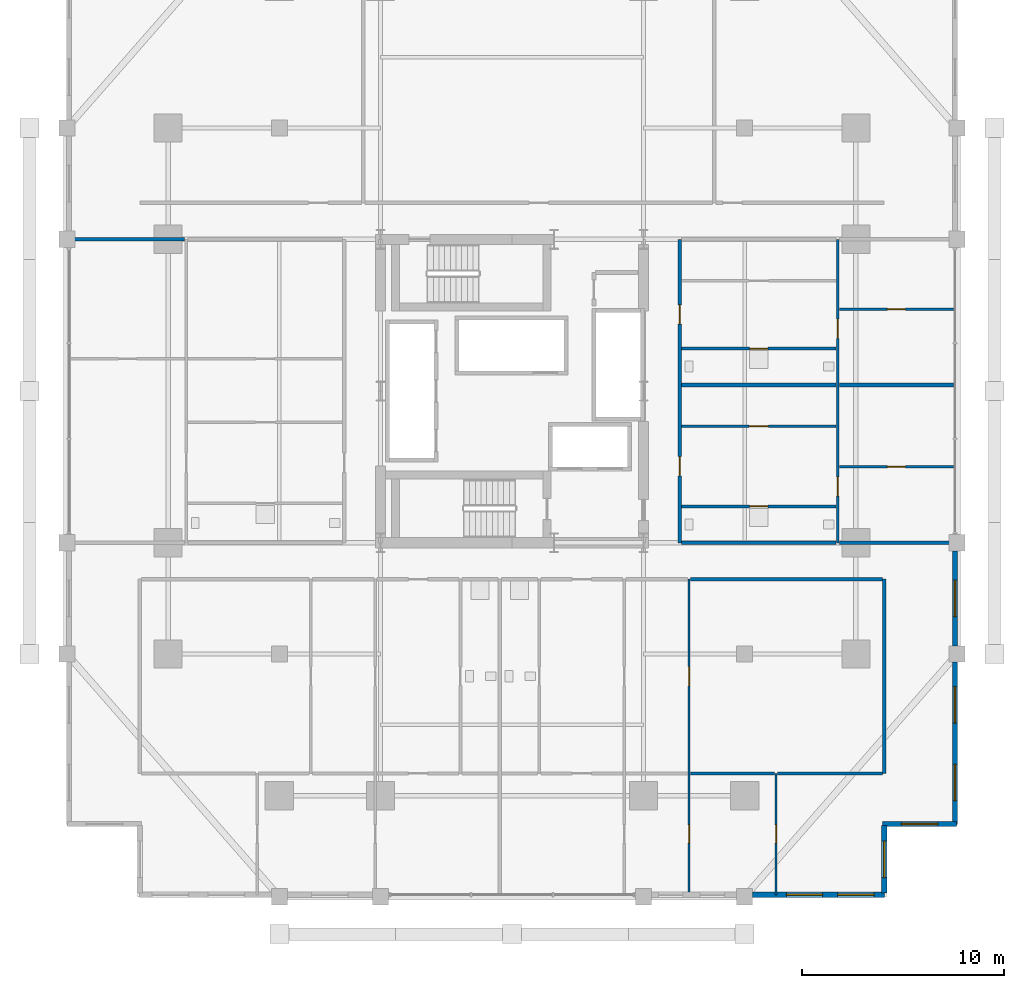
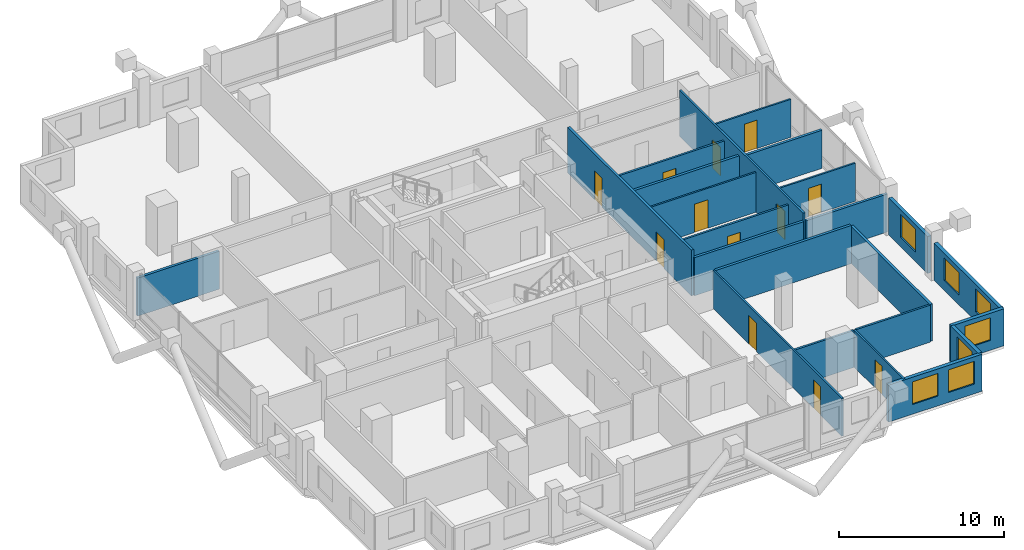
# One storey, part 19 of 23: 23 walls, 12 doors, 7 windows, 19 openings.
"""IFC4 building model written with IfcOpenShell, lengths in metres."""

from ifc_helpers import new_model, si_unit, direction, frame, frame_2d, origin, place, context, subcontext, project, spatial, rectangle, extrude, material, layer, layer_set, type_object, element, fill, save


model = new_model("IFC4")

# Units and contexts
model_context = context("Model", 3, precision=1e-05, world=origin(), true_north=direction((0.0, 1.0)))
body_context = subcontext(model_context, "Body", "Model", "MODEL_VIEW")
ifc_project = project(units=[si_unit("LENGTHUNIT", "METRE"), si_unit("AREAUNIT", "SQUARE_METRE"), si_unit("VOLUMEUNIT", "CUBIC_METRE"), si_unit("PLANEANGLEUNIT", "RADIAN"), si_unit("MASSUNIT", "GRAM", prefix="KILO")], contexts=[model_context])

# Site, building, storey
site_placement = place(None, origin())
site = spatial("IfcSite", under=ifc_project, at=site_placement, CompositionType="ELEMENT")
building_placement = place(site_placement, origin())
building = spatial("IfcBuilding", under=site, at=building_placement, Name="Barlavira Tower and Art Museum", CompositionType="ELEMENT")
storey_placement = place(building_placement, frame((0.0, 0.0, 68.39990234375)))
storey = spatial("IfcBuildingStorey", under=building, at=storey_placement, Name="L16", CompositionType="ELEMENT", Elevation=68.39990234375)

# Wall, openings, doors
ifc_material_1 = material(Name="Gypsum acoustic stud partition", Category="gypsum")
ifc_layer_1 = layer(ifc_material_1, 0.1201171875, Name="Gypsum acoustic stud partition")
ifc_layer_set_1 = layer_set([ifc_layer_1], Name="Gypsum acoustic stud partition")
wall_type_1 = type_object("IfcWallType", Name="Apartment Internal Acoustic Partition 120", PredefinedType="PARTITIONING", material=ifc_layer_set_1)
wall_1_placement = place(storey_placement, frame((8.75, -24.89990234375, 0.0), z_axis=(0.0, 0.0, 1.0), x_axis=(0.0, 1.0, 0.0)))
wall_1 = element("IfcWall", 1, at=wall_1_placement, inside=storey, type_object=wall_type_1, Name="L16 Partition Wall 14", PredefinedType="PARTITIONING", context=body_context, shape_type="SweptSolid", body=[
    extrude(rectangle(XDim=15.599853515625, YDim=0.1201171875, at=frame_2d((7.7998046875, 0.0))), origin(), (0.0, 0.0, 1.0), 2.816162109375),
])
opening_1_placement = place(wall_1_placement, frame((10.324951171875, 0.0, 0.0)))
opening_1 = element("IfcOpeningElement", 2, at=opening_1_placement, cuts=wall_1, Name="Opening D-02", PredefinedType="OPENING", context=body_context, shape_type="SweptSolid", body=[
    extrude(rectangle(XDim=0.949951171875, YDim=2.10009765625, at=frame_2d((0.47509765625, 1.050048828125))), frame((0.0, 0.070068359375, 0.0), z_axis=(0.0, -1.0, 0.0), x_axis=(1.0, 0.0, 0.0)), (0.0, 0.0, 1.0), 0.14013671875),
])
opening_2_placement = place(wall_1_placement, frame((2.550048828125, 0.0, 0.0)))
opening_2 = element("IfcOpeningElement", 3, at=opening_2_placement, cuts=wall_1, Name="Opening D-01", PredefinedType="OPENING", context=body_context, shape_type="SweptSolid", body=[
    extrude(rectangle(XDim=0.89990234375, YDim=2.10009765625, at=frame_2d((0.449951171875, 1.050048828125))), frame((0.0, 0.070068359375, 0.0), z_axis=(0.0, -1.0, 0.0), x_axis=(1.0, 0.0, 0.0)), (0.0, 0.0, 1.0), 0.14013671875),
])
ifc_material_2 = material(Name="Engineered coastal hardwood", Category="wood")
door_type_1 = type_object("IfcDoorType", Name="Internal Bedroom Timber Flush Door 900x2100", OperationType="NOTDEFINED", PredefinedType="DOOR", material=ifc_material_2)
door_1_placement = place(opening_2_placement, origin())
door_1 = element("IfcDoor", 4, at=door_1_placement, inside=storey, type_object=door_type_1, Name="Apartment S2 Bedroom 2 Door", OperationType="SINGLE_SWING_RIGHT", OverallHeight=2.10009765625, OverallWidth=0.89990234375, PredefinedType="DOOR", context=body_context, shape_type="SweptSolid", body=[
    extrude(rectangle(XDim=0.89990234375, YDim=2.10009765625, at=frame_2d((0.449951171875, 1.050048828125))), frame((0.0, 0.02490234375, 0.0), z_axis=(0.0, -1.0, 0.0), x_axis=(1.0, 0.0, 0.0)), (0.0, 0.0, 1.0), 0.050048828125),
])
fill(opening_2, door_1)
door_type_2 = type_object("IfcDoorType", Name="Living and Salon Glazed-Leaf Door 950x2100", OperationType="NOTDEFINED", PredefinedType="DOOR", material=ifc_material_2)
door_2_placement = place(opening_1_placement, origin())
door_2 = element("IfcDoor", 5, at=door_2_placement, inside=storey, type_object=door_type_2, Name="Apartment S2 Dining Salon Door", OperationType="SINGLE_SWING_LEFT", OverallHeight=2.10009765625, OverallWidth=0.949951171875, PredefinedType="DOOR", context=body_context, shape_type="SweptSolid", body=[
    extrude(rectangle(XDim=0.949951171875, YDim=2.10009765625, at=frame_2d((0.47509765625, 1.050048828125))), frame((0.0, 0.02490234375, 0.0), z_axis=(0.0, -1.0, 0.0), x_axis=(1.0, 0.0, 0.0)), (0.0, 0.0, 1.0), 0.050048828125),
])
fill(opening_1, door_2)

# Wall, opening, door
wall_2_placement = place(storey_placement, frame((13.050048828125, -24.89990234375, 0.0), z_axis=(0.0, 0.0, 1.0), x_axis=(0.0, 1.0, 0.0)))
wall_2 = element("IfcWall", 6, at=wall_2_placement, inside=storey, type_object=wall_type_1, Name="L16 Partition Wall 16", PredefinedType="PARTITIONING", context=body_context, shape_type="SweptSolid", body=[
    extrude(rectangle(XDim=6.0, YDim=0.1201171875, at=frame_2d((3.0, 0.0))), origin(), (0.0, 0.0, 1.0), 2.736083984375),
])
opening_3_placement = place(wall_2_placement, frame((2.550048828125, 0.0, 0.0)))
opening_3 = element("IfcOpeningElement", 7, at=opening_3_placement, cuts=wall_2, Name="Opening D-01", PredefinedType="OPENING", context=body_context, shape_type="SweptSolid", body=[
    extrude(rectangle(XDim=0.89990234375, YDim=2.10009765625, at=frame_2d((0.449951171875, 1.050048828125))), frame((0.0, 0.070068359375, 0.0), z_axis=(0.0, -1.0, 0.0), x_axis=(1.0, 0.0, 0.0)), (0.0, 0.0, 1.0), 0.14013671875),
])
door_3_placement = place(opening_3_placement, origin())
door_3 = element("IfcDoor", 8, at=door_3_placement, inside=storey, type_object=door_type_1, Name="Apartment S2 Bedroom 3 Door", OperationType="SINGLE_SWING_LEFT", OverallHeight=2.10009765625, OverallWidth=0.89990234375, PredefinedType="DOOR", context=body_context, shape_type="SweptSolid", body=[
    extrude(rectangle(XDim=0.89990234375, YDim=2.10009765625, at=frame_2d((0.449951171875, 1.050048828125))), frame((0.0, 0.02490234375, 0.0), z_axis=(0.0, -1.0, 0.0), x_axis=(1.0, 0.0, 0.0)), (0.0, 0.0, 1.0), 0.050048828125),
])
fill(opening_3, door_3)

wall_3_placement = place(storey_placement, frame((16.179931640625, -3.75, 0.0), z_axis=(0.0, 0.0, 1.0), x_axis=(1.0, 0.0, 0.0)))
wall_3 = element("IfcWall", 9, at=wall_3_placement, inside=storey, type_object=wall_type_1, Name="L16 Partition Wall 43", PredefinedType="PARTITIONING", context=body_context, shape_type="SweptSolid", body=[
    extrude(rectangle(XDim=5.64013671875, YDim=0.1201171875, at=frame_2d((2.820068359375, 0.0))), origin(), (0.0, 0.0, 1.0), 2.816162109375),
])
opening_4_placement = place(wall_3_placement, frame((2.3701171875, 0.0, 0.0)))
opening_4 = element("IfcOpeningElement", 10, at=opening_4_placement, cuts=wall_3, Name="Opening D-01", PredefinedType="OPENING", context=body_context, shape_type="SweptSolid", body=[
    extrude(rectangle(XDim=0.89990234375, YDim=2.10009765625, at=frame_2d((0.449951171875, 1.050048828125))), frame((0.0, 0.070068359375, 0.0), z_axis=(0.0, -1.0, 0.0), x_axis=(1.0, 0.0, 0.0)), (0.0, 0.0, 1.0), 0.14013671875),
])
door_4_placement = place(opening_4_placement, origin())
door_4 = element("IfcDoor", 11, at=door_4_placement, inside=storey, type_object=door_type_1, Name="Apartment E1 Bedroom 1 Door", OperationType="SINGLE_SWING_LEFT", OverallHeight=2.10009765625, OverallWidth=0.89990234375, PredefinedType="DOOR", context=body_context, shape_type="SweptSolid", body=[
    extrude(rectangle(XDim=0.89990234375, YDim=2.10009765625, at=frame_2d((0.449951171875, 1.050048828125))), frame((0.0, 0.02490234375, 0.0), z_axis=(0.0, -1.0, 0.0), x_axis=(1.0, 0.0, 0.0)), (0.0, 0.0, 1.0), 0.050048828125),
])
fill(opening_4, door_4)

wall_4_placement = place(storey_placement, frame((8.3798828125, -1.75, 0.0), z_axis=(0.0, 0.0, 1.0), x_axis=(1.0, 0.0, 0.0)))
wall_4 = element("IfcWall", 12, at=wall_4_placement, inside=storey, type_object=wall_type_1, Name="L16 Partition Wall 44", PredefinedType="PARTITIONING", context=body_context, shape_type="SweptSolid", body=[
    extrude(rectangle(XDim=7.64013671875, YDim=0.1201171875, at=frame_2d((3.820068359375, 0.0))), origin(), (0.0, 0.0, 1.0), 2.947998046875),
])
opening_5_placement = place(wall_4_placement, frame((3.344970703125, 0.0, 0.0)))
opening_5 = element("IfcOpeningElement", 13, at=opening_5_placement, cuts=wall_4, Name="Opening D-02", PredefinedType="OPENING", context=body_context, shape_type="SweptSolid", body=[
    extrude(rectangle(XDim=0.949951171875, YDim=2.10009765625, at=frame_2d((0.47509765625, 1.050048828125))), frame((0.0, 0.070068359375, 0.0), z_axis=(0.0, -1.0, 0.0), x_axis=(1.0, 0.0, 0.0)), (0.0, 0.0, 1.0), 0.14013671875),
])
door_5_placement = place(opening_5_placement, origin())
door_5 = element("IfcDoor", 14, at=door_5_placement, inside=storey, type_object=door_type_2, Name="Apartment E1 Kitchen Door", OperationType="SINGLE_SWING_LEFT", OverallHeight=2.10009765625, OverallWidth=0.949951171875, PredefinedType="DOOR", context=body_context, shape_type="SweptSolid", body=[
    extrude(rectangle(XDim=0.949951171875, YDim=2.10009765625, at=frame_2d((0.47509765625, 1.050048828125))), frame((0.0, 0.02490234375, 0.0), z_axis=(0.0, -1.0, 0.0), x_axis=(1.0, 0.0, 0.0)), (0.0, 0.0, 1.0), 0.050048828125),
])
fill(opening_5, door_5)

wall_5_placement = place(storey_placement, frame((16.179931640625, 4.050048828125, 0.0), z_axis=(0.0, 0.0, 1.0), x_axis=(1.0, 0.0, 0.0)))
wall_5 = element("IfcWall", 15, at=wall_5_placement, inside=storey, type_object=wall_type_1, Name="L16 Partition Wall 51", PredefinedType="PARTITIONING", context=body_context, shape_type="SweptSolid", body=[
    extrude(rectangle(XDim=5.64013671875, YDim=0.1201171875, at=frame_2d((2.820068359375, 0.0))), origin(), (0.0, 0.0, 1.0), 2.816162109375),
])
opening_6_placement = place(wall_5_placement, frame((2.3701171875, 0.0, 0.0)))
opening_6 = element("IfcOpeningElement", 16, at=opening_6_placement, cuts=wall_5, Name="Opening D-01", PredefinedType="OPENING", context=body_context, shape_type="SweptSolid", body=[
    extrude(rectangle(XDim=0.89990234375, YDim=2.10009765625, at=frame_2d((0.449951171875, 1.050048828125))), frame((0.0, 0.070068359375, 0.0), z_axis=(0.0, -1.0, 0.0), x_axis=(1.0, 0.0, 0.0)), (0.0, 0.0, 1.0), 0.14013671875),
])
door_6_placement = place(opening_6_placement, origin())
door_6 = element("IfcDoor", 17, at=door_6_placement, inside=storey, type_object=door_type_1, Name="Apartment E2 Bedroom 1 Door", OperationType="SINGLE_SWING_RIGHT", OverallHeight=2.10009765625, OverallWidth=0.89990234375, PredefinedType="DOOR", context=body_context, shape_type="SweptSolid", body=[
    extrude(rectangle(XDim=0.89990234375, YDim=2.10009765625, at=frame_2d((0.449951171875, 1.050048828125))), frame((0.0, 0.02490234375, 0.0), z_axis=(0.0, -1.0, 0.0), x_axis=(1.0, 0.0, 0.0)), (0.0, 0.0, 1.0), 0.050048828125),
])
fill(opening_6, door_6)

# Wall, openings, doors
ifc_layer_2 = layer(ifc_material_1, 0.179931640625, Name="Gypsum acoustic stud partition")
ifc_layer_set_2 = layer_set([ifc_layer_2], Name="Gypsum acoustic stud partition")
wall_type_2 = type_object("IfcWallType", Name="Inter-Tenancy Party Partition Wall 180", PredefinedType="PARTITIONING", material=ifc_layer_set_2)
wall_6_placement = place(storey_placement, frame((8.300048828125, -7.5, 0.0), z_axis=(0.0, 0.0, 1.0), x_axis=(0.0, 1.0, 0.0)))
wall_6 = element("IfcWall", 18, at=wall_6_placement, inside=storey, type_object=wall_type_2, Name="L16 Partition Wall 13", PredefinedType="PARTITIONING", context=body_context, shape_type="SweptSolid", body=[
    extrude(rectangle(XDim=15.0, YDim=0.179931640625, at=frame_2d((7.5, 0.0))), origin(), (0.0, 0.0, 1.0), 3.380126953125),
])
opening_7_placement = place(wall_6_placement, frame((3.304931640625, 0.0, 0.0)))
opening_7 = element("IfcOpeningElement", 19, at=opening_7_placement, cuts=wall_6, Name="Opening FD-60", PredefinedType="OPENING", context=body_context, shape_type="SweptSolid", body=[
    extrude(rectangle(XDim=0.949951171875, YDim=2.14990234375, at=frame_2d((0.47509765625, 1.074951171875))), frame((0.0, 0.10009765625, 0.0), z_axis=(0.0, -1.0, 0.0), x_axis=(1.0, 0.0, 0.0)), (0.0, 0.0, 1.0), 0.199951171875),
])
opening_8_placement = place(wall_6_placement, frame((10.804931640625, 0.0, 0.0)))
opening_8 = element("IfcOpeningElement", 20, at=opening_8_placement, cuts=wall_6, Name="Opening FD-60", PredefinedType="OPENING", context=body_context, shape_type="SweptSolid", body=[
    extrude(rectangle(XDim=0.949951171875, YDim=2.14990234375, at=frame_2d((0.47509765625, 1.074951171875))), frame((0.0, 0.10009765625, 0.0), z_axis=(0.0, -1.0, 0.0), x_axis=(1.0, 0.0, 0.0)), (0.0, 0.0, 1.0), 0.199951171875),
])
ifc_material_3 = material(Name="Brushed stainless steel", Category="steel")
door_type_3 = type_object("IfcDoorType", Name="Apartment Entrance and Riser Fire Door 950x2150 FD60S", OperationType="NOTDEFINED", PredefinedType="DOOR", material=ifc_material_3)
door_7_placement = place(opening_7_placement, origin())
door_7 = element("IfcDoor", 21, at=door_7_placement, inside=storey, type_object=door_type_3, Name="Apartment Entrance Hall E1 Door", OperationType="SINGLE_SWING_RIGHT", OverallHeight=2.14990234375, OverallWidth=0.949951171875, PredefinedType="DOOR", context=body_context, shape_type="SweptSolid", body=[
    extrude(rectangle(XDim=0.949951171875, YDim=2.14990234375, at=frame_2d((0.47509765625, 1.074951171875))), frame((0.0, 0.02490234375, 0.0), z_axis=(0.0, -1.0, 0.0), x_axis=(1.0, 0.0, 0.0)), (0.0, 0.0, 1.0), 0.050048828125),
])
fill(opening_7, door_7)
door_8_placement = place(opening_8_placement, origin())
door_8 = element("IfcDoor", 22, at=door_8_placement, inside=storey, type_object=door_type_3, Name="Apartment Entrance Hall E2 Door", OperationType="SINGLE_SWING_LEFT", OverallHeight=2.14990234375, OverallWidth=0.949951171875, PredefinedType="DOOR", context=body_context, shape_type="SweptSolid", body=[
    extrude(rectangle(XDim=0.949951171875, YDim=2.14990234375, at=frame_2d((0.47509765625, 1.074951171875))), frame((0.0, 0.02490234375, 0.0), z_axis=(0.0, -1.0, 0.0), x_axis=(1.0, 0.0, 0.0)), (0.0, 0.0, 1.0), 0.050048828125),
])
fill(opening_8, door_8)

# Walls
wall_7_placement = place(storey_placement, frame((18.39990234375, -18.89990234375, 0.0), z_axis=(0.0, 0.0, 1.0), x_axis=(0.0, 1.0, 0.0)))
element("IfcWall", 23, at=wall_7_placement, inside=storey, type_object=wall_type_2, Name="L16 Partition Wall 18", PredefinedType="PARTITIONING", context=body_context, shape_type="SweptSolid", body=[
    extrude(rectangle(XDim=9.599853515625, YDim=0.179931640625, at=frame_2d((4.7998046875, 0.0))), origin(), (0.0, 0.0, 1.0), 2.736083984375),
])
wall_8_placement = place(storey_placement, frame((8.830078125, -9.300048828125, 0.0), z_axis=(0.0, 0.0, 1.0), x_axis=(1.0, 0.0, 0.0)))
element("IfcWall", 24, at=wall_8_placement, inside=storey, type_object=wall_type_2, Name="L16 Partition Wall 36", PredefinedType="PARTITIONING", context=body_context, shape_type="SweptSolid", body=[
    extrude(rectangle(XDim=9.489990234375, YDim=0.179931640625, at=frame_2d((4.7451171875, 0.0))), origin(), (0.0, 0.0, 1.0), 2.816162109375),
])
wall_9_placement = place(storey_placement, frame((8.3798828125, -7.5, 0.0), z_axis=(0.0, 0.0, 1.0), x_axis=(1.0, 0.0, 0.0)))
element("IfcWall", 25, at=wall_9_placement, inside=storey, type_object=wall_type_2, Name="L16 Partition Wall 39", PredefinedType="PARTITIONING", context=body_context, shape_type="SweptSolid", body=[
    extrude(rectangle(XDim=7.64013671875, YDim=0.179931640625, at=frame_2d((3.820068359375, 0.0))), origin(), (0.0, 0.0, 1.0), 2.816162109375),
])
wall_10_placement = place(storey_placement, frame((16.179931640625, -7.5, 0.0), z_axis=(0.0, 0.0, 1.0), x_axis=(1.0, 0.0, 0.0)))
element("IfcWall", 26, at=wall_10_placement, inside=storey, type_object=wall_type_2, Name="L16 Partition Wall 40", PredefinedType="PARTITIONING", context=body_context, shape_type="SweptSolid", body=[
    extrude(rectangle(XDim=5.719970703125, YDim=0.179931640625, at=frame_2d((2.85986328125, 0.0))), origin(), (0.0, 0.0, 1.0), 2.816162109375),
])
wall_11_placement = place(storey_placement, frame((8.3798828125, 0.300048828125, 0.0), z_axis=(0.0, 0.0, 1.0), x_axis=(1.0, 0.0, 0.0)))
element("IfcWall", 27, at=wall_11_placement, inside=storey, type_object=wall_type_2, Name="L16 Partition Wall 46", PredefinedType="PARTITIONING", context=body_context, shape_type="SweptSolid", body=[
    extrude(rectangle(XDim=7.64013671875, YDim=0.179931640625, at=frame_2d((3.820068359375, 0.0))), origin(), (0.0, 0.0, 1.0), 2.947998046875),
])
wall_12_placement = place(storey_placement, frame((16.179931640625, 0.300048828125, 0.0), z_axis=(0.0, 0.0, 1.0), x_axis=(1.0, 0.0, 0.0)))
element("IfcWall", 28, at=wall_12_placement, inside=storey, type_object=wall_type_2, Name="L16 Partition Wall 47", PredefinedType="PARTITIONING", context=body_context, shape_type="SweptSolid", body=[
    extrude(rectangle(XDim=5.64013671875, YDim=0.179931640625, at=frame_2d((2.820068359375, 0.0))), origin(), (0.0, 0.0, 1.0), 2.816162109375),
])
wall_13_placement = place(storey_placement, frame((-21.89990234375, 7.5, 0.0), z_axis=(0.0, 0.0, 1.0), x_axis=(1.0, 0.0, 0.0)))
element("IfcWall", 29, at=wall_13_placement, inside=storey, type_object=wall_type_2, Name="L16 Partition Wall 54", PredefinedType="PARTITIONING", context=body_context, shape_type="SweptSolid", body=[
    extrude(rectangle(XDim=5.719970703125, YDim=0.179931640625, at=frame_2d((2.85986328125, 0.0))), origin(), (0.0, 0.0, 1.0), 2.816162109375),
])

# Wall, openings, doors
ifc_layer_3 = layer(ifc_material_1, 0.139892578125, Name="Gypsum acoustic stud partition")
ifc_layer_set_3 = layer_set([ifc_layer_3], Name="Gypsum acoustic stud partition")
wall_type_3 = type_object("IfcWallType", Name="Moisture-Resistant Bathroom Partition 140", PredefinedType="PARTITIONING", material=ifc_layer_set_3)
wall_14_placement = place(storey_placement, frame((16.10009765625, -7.5, 0.0), z_axis=(0.0, 0.0, 1.0), x_axis=(0.0, 1.0, 0.0)))
wall_14 = element("IfcWall", 30, at=wall_14_placement, inside=storey, type_object=wall_type_3, Name="L16 Partition Wall 17", PredefinedType="PARTITIONING", context=body_context, shape_type="SweptSolid", body=[
    extrude(rectangle(XDim=15.0, YDim=0.139892578125, at=frame_2d((7.5, 0.0))), origin(), (0.0, 0.0, 1.0), 3.380126953125),
])
opening_9_placement = place(wall_14_placement, frame((2.304931640625, 0.0, 0.0)))
opening_9 = element("IfcOpeningElement", 31, at=opening_9_placement, cuts=wall_14, Name="Opening D-02", PredefinedType="OPENING", context=body_context, shape_type="SweptSolid", body=[
    extrude(rectangle(XDim=0.949951171875, YDim=2.10009765625, at=frame_2d((0.47509765625, 1.050048828125))), frame((0.0, 0.080078125, 0.0), z_axis=(0.0, -1.0, 0.0), x_axis=(1.0, 0.0, 0.0)), (0.0, 0.0, 1.0), 0.159912109375),
])
opening_10_placement = place(wall_14_placement, frame((10.10498046875, 0.0, 0.0)))
opening_10 = element("IfcOpeningElement", 32, at=opening_10_placement, cuts=wall_14, Name="Opening D-02", PredefinedType="OPENING", context=body_context, shape_type="SweptSolid", body=[
    extrude(rectangle(XDim=0.949951171875, YDim=2.10009765625, at=frame_2d((0.47509765625, 1.050048828125))), frame((0.0, 0.080078125, 0.0), z_axis=(0.0, -1.0, 0.0), x_axis=(1.0, 0.0, 0.0)), (0.0, 0.0, 1.0), 0.159912109375),
])
door_9_placement = place(opening_9_placement, origin())
door_9 = element("IfcDoor", 33, at=door_9_placement, inside=storey, type_object=door_type_2, Name="Apartment E1 Living Lounge Door", OperationType="SINGLE_SWING_RIGHT", OverallHeight=2.10009765625, OverallWidth=0.949951171875, PredefinedType="DOOR", context=body_context, shape_type="SweptSolid", body=[
    extrude(rectangle(XDim=0.949951171875, YDim=2.10009765625, at=frame_2d((0.47509765625, 1.050048828125))), frame((0.0, 0.02490234375, 0.0), z_axis=(0.0, -1.0, 0.0), x_axis=(1.0, 0.0, 0.0)), (0.0, 0.0, 1.0), 0.050048828125),
])
fill(opening_9, door_9)
door_10_placement = place(opening_10_placement, origin())
door_10 = element("IfcDoor", 34, at=door_10_placement, inside=storey, type_object=door_type_2, Name="Apartment E2 Living Lounge Door", OperationType="SINGLE_SWING_LEFT", OverallHeight=2.10009765625, OverallWidth=0.949951171875, PredefinedType="DOOR", context=body_context, shape_type="SweptSolid", body=[
    extrude(rectangle(XDim=0.949951171875, YDim=2.10009765625, at=frame_2d((0.47509765625, 1.050048828125))), frame((0.0, 0.02490234375, 0.0), z_axis=(0.0, -1.0, 0.0), x_axis=(1.0, 0.0, 0.0)), (0.0, 0.0, 1.0), 0.050048828125),
])
fill(opening_10, door_10)

# Walls
wall_15_placement = place(storey_placement, frame((8.830078125, -18.89990234375, 0.0), z_axis=(0.0, 0.0, 1.0), x_axis=(1.0, 0.0, 0.0)))
element("IfcWall", 35, at=wall_15_placement, inside=storey, type_object=wall_type_3, Name="L16 Partition Wall 27", PredefinedType="PARTITIONING", context=body_context, shape_type="SweptSolid", body=[
    extrude(rectangle(XDim=4.139892578125, YDim=0.139892578125, at=frame_2d((2.06982421875, 0.0))), origin(), (0.0, 0.0, 1.0), 2.736083984375),
])
wall_16_placement = place(storey_placement, frame((13.1298828125, -18.89990234375, 0.0), z_axis=(0.0, 0.0, 1.0), x_axis=(1.0, 0.0, 0.0)))
element("IfcWall", 36, at=wall_16_placement, inside=storey, type_object=wall_type_3, Name="L16 Partition Wall 28", PredefinedType="PARTITIONING", context=body_context, shape_type="SweptSolid", body=[
    extrude(rectangle(XDim=5.190185546875, YDim=0.139892578125, at=frame_2d((2.59521484375, 0.0))), origin(), (0.0, 0.0, 1.0), 2.736083984375),
])

# Wall, opening, door
wall_17_placement = place(storey_placement, frame((8.3798828125, -5.699951171875, 0.0), z_axis=(0.0, 0.0, 1.0), x_axis=(1.0, 0.0, 0.0)))
wall_17 = element("IfcWall", 37, at=wall_17_placement, inside=storey, type_object=wall_type_3, Name="L16 Partition Wall 41", PredefinedType="PARTITIONING", context=body_context, shape_type="SweptSolid", body=[
    extrude(rectangle(XDim=7.64013671875, YDim=0.139892578125, at=frame_2d((3.820068359375, 0.0))), origin(), (0.0, 0.0, 1.0), 2.947998046875),
])
opening_11_placement = place(wall_17_placement, frame((3.3701171875, 0.0, 0.0)))
opening_11 = element("IfcOpeningElement", 38, at=opening_11_placement, cuts=wall_17, Name="Opening D-WC", PredefinedType="OPENING", context=body_context, shape_type="SweptSolid", body=[
    extrude(rectangle(XDim=0.89990234375, YDim=2.10009765625, at=frame_2d((0.449951171875, 1.050048828125))), frame((0.0, 0.080078125, 0.0), z_axis=(0.0, -1.0, 0.0), x_axis=(1.0, 0.0, 0.0)), (0.0, 0.0, 1.0), 0.159912109375),
])
door_type_4 = type_object("IfcDoorType", Name="Accessible Bathroom Flush Door 900x2100", OperationType="NOTDEFINED", PredefinedType="DOOR", material=ifc_material_2)
door_11_placement = place(opening_11_placement, origin())
door_11 = element("IfcDoor", 39, at=door_11_placement, inside=storey, type_object=door_type_4, Name="Apartment E1 Hall Bathroom Door", OperationType="SINGLE_SWING_LEFT", OverallHeight=2.10009765625, OverallWidth=0.89990234375, PredefinedType="DOOR", context=body_context, shape_type="SweptSolid", body=[
    extrude(rectangle(XDim=0.89990234375, YDim=2.10009765625, at=frame_2d((0.449951171875, 1.050048828125))), frame((0.0, 0.02490234375, 0.0), z_axis=(0.0, -1.0, 0.0), x_axis=(1.0, 0.0, 0.0)), (0.0, 0.0, 1.0), 0.050048828125),
])
fill(opening_11, door_11)

wall_18_placement = place(storey_placement, frame((8.3798828125, 2.10009765625, 0.0), z_axis=(0.0, 0.0, 1.0), x_axis=(1.0, 0.0, 0.0)))
wall_18 = element("IfcWall", 40, at=wall_18_placement, inside=storey, type_object=wall_type_3, Name="L16 Partition Wall 50", PredefinedType="PARTITIONING", context=body_context, shape_type="SweptSolid", body=[
    extrude(rectangle(XDim=7.64013671875, YDim=0.139892578125, at=frame_2d((3.820068359375, 0.0))), origin(), (0.0, 0.0, 1.0), 2.947998046875),
])
opening_12_placement = place(wall_18_placement, frame((3.3701171875, 0.0, 0.0)))
opening_12 = element("IfcOpeningElement", 41, at=opening_12_placement, cuts=wall_18, Name="Opening D-WC", PredefinedType="OPENING", context=body_context, shape_type="SweptSolid", body=[
    extrude(rectangle(XDim=0.89990234375, YDim=2.10009765625, at=frame_2d((0.449951171875, 1.050048828125))), frame((0.0, 0.080078125, 0.0), z_axis=(0.0, -1.0, 0.0), x_axis=(1.0, 0.0, 0.0)), (0.0, 0.0, 1.0), 0.159912109375),
])
door_12_placement = place(opening_12_placement, origin())
door_12 = element("IfcDoor", 42, at=door_12_placement, inside=storey, type_object=door_type_4, Name="Apartment E2 Hall Bathroom Door", OperationType="SINGLE_SWING_RIGHT", OverallHeight=2.10009765625, OverallWidth=0.89990234375, PredefinedType="DOOR", context=body_context, shape_type="SweptSolid", body=[
    extrude(rectangle(XDim=0.89990234375, YDim=2.10009765625, at=frame_2d((0.449951171875, 1.050048828125))), frame((0.0, 0.02490234375, 0.0), z_axis=(0.0, -1.0, 0.0), x_axis=(1.0, 0.0, 0.0)), (0.0, 0.0, 1.0), 0.050048828125),
])
fill(opening_12, door_12)

# Wall, openings, windows
ifc_material_4 = material(Name="Precast concrete C40", Category="concrete")
ifc_layer_4 = layer(ifc_material_4, 0.25, Name="Precast concrete C40")
ifc_layer_set_4 = layer_set([ifc_layer_4], Name="Precast concrete C40")
wall_type_4 = type_object("IfcWallType", Name="Notched Corner Spandrel Wall 250 Precast Concrete C40", PredefinedType="SOLIDWALL", material=ifc_layer_set_4)
wall_19_placement = place(storey_placement, frame((11.89501953125, -24.89990234375, 0.0), z_axis=(0.0, 0.0, 1.0), x_axis=(1.0, 0.0, 0.0)))
wall_19 = element("IfcWall", 43, at=wall_19_placement, inside=storey, type_object=wall_type_4, Name="L16 Coastal Facade Pier Wall CW1-L16-S-5", PredefinedType="SOLIDWALL", context=body_context, shape_type="SweptSolid", body=[
    extrude(rectangle(XDim=6.530029296875, YDim=0.25, at=frame_2d((3.26513671875, 0.0))), origin(), (0.0, 0.0, 1.0), 2.736083984375),
])
opening_13_placement = place(wall_19_placement, frame((1.6640625, 0.0, 0.719970703125)))
opening_13 = element("IfcOpeningElement", 44, at=opening_13_placement, cuts=wall_19, Name="Opening WN-01", PredefinedType="OPENING", context=body_context, shape_type="SweptSolid", body=[
    extrude(rectangle(XDim=1.800048828125, YDim=1.679931640625, at=frame_2d((0.89990234375, 0.83984375))), frame((0.0, 0.135009765625, 0.0), z_axis=(0.0, -1.0, 0.0), x_axis=(1.0, 0.0, 0.0)), (0.0, 0.0, 1.0), 0.27001953125),
])
opening_14_placement = place(wall_19_placement, frame((4.200927734375, 0.0, 0.719970703125)))
opening_14 = element("IfcOpeningElement", 45, at=opening_14_placement, cuts=wall_19, Name="Opening WN-01", PredefinedType="OPENING", context=body_context, shape_type="SweptSolid", body=[
    extrude(rectangle(XDim=1.800048828125, YDim=1.679931640625, at=frame_2d((0.89990234375, 0.83984375))), frame((0.0, 0.135009765625, 0.0), z_axis=(0.0, -1.0, 0.0), x_axis=(1.0, 0.0, 0.0)), (0.0, 0.0, 1.0), 0.27001953125),
])
ifc_material_5 = material(Name="Low-iron coastal laminated glass", Category="glass")
window_type = type_object("IfcWindowType", Name="Recessed Notch Corner Punch Window 1800x1680", PartitioningType="SINGLE_PANEL", PredefinedType="WINDOW", material=ifc_material_5)
window_1_placement = place(opening_13_placement, origin())
window_1 = element("IfcWindow", 46, at=window_1_placement, inside=storey, type_object=window_type, Name="L16 Punched Facade Window EWP-CW1-L16-S-5-1", OverallHeight=1.679931640625, OverallWidth=1.800048828125, PartitioningType="SINGLE_PANEL", PredefinedType="WINDOW", context=body_context, shape_type="SweptSolid", body=[
    extrude(rectangle(XDim=1.800048828125, YDim=1.679931640625, at=frame_2d((0.89990234375, 0.83984375))), frame((0.0, 0.030029296875, 0.0), z_axis=(0.0, -1.0, 0.0), x_axis=(1.0, 0.0, 0.0)), (0.0, 0.0, 1.0), 0.06005859375),
])
fill(opening_13, window_1)
window_2_placement = place(opening_14_placement, origin())
window_2 = element("IfcWindow", 47, at=window_2_placement, inside=storey, type_object=window_type, Name="L16 Punched Facade Window EWP-CW1-L16-S-5-2", OverallHeight=1.679931640625, OverallWidth=1.800048828125, PartitioningType="SINGLE_PANEL", PredefinedType="WINDOW", context=body_context, shape_type="SweptSolid", body=[
    extrude(rectangle(XDim=1.800048828125, YDim=1.679931640625, at=frame_2d((0.89990234375, 0.83984375))), frame((0.0, 0.030029296875, 0.0), z_axis=(0.0, -1.0, 0.0), x_axis=(1.0, 0.0, 0.0)), (0.0, 0.0, 1.0), 0.06005859375),
])
fill(opening_14, window_2)

wall_20_placement = place(storey_placement, frame((21.89990234375, -21.425048828125, 0.0), z_axis=(0.0, 0.0, 1.0), x_axis=(0.0, 1.0, 0.0)))
wall_20 = element("IfcWall", 48, at=wall_20_placement, inside=storey, type_object=wall_type_4, Name="L16 Coastal Facade Pier Wall CW1-L16-E-1", PredefinedType="SOLIDWALL", context=body_context, shape_type="SweptSolid", body=[
    extrude(rectangle(XDim=8.030029296875, YDim=0.25, at=frame_2d((4.01513671875, 0.0))), origin(), (0.0, 0.0, 1.0), 2.736083984375),
])
opening_15_placement = place(wall_20_placement, frame((1.176025390625, 0.0, 0.719970703125)))
opening_15 = element("IfcOpeningElement", 49, at=opening_15_placement, cuts=wall_20, Name="Opening WN-01", PredefinedType="OPENING", context=body_context, shape_type="SweptSolid", body=[
    extrude(rectangle(XDim=1.800048828125, YDim=1.679931640625, at=frame_2d((0.89990234375, 0.83984375))), frame((0.0, 0.135009765625, 0.0), z_axis=(0.0, -1.0, 0.0), x_axis=(1.0, 0.0, 0.0)), (0.0, 0.0, 1.0), 0.27001953125),
])
opening_16_placement = place(wall_20_placement, frame((5.009033203125, 0.0, 0.719970703125)))
opening_16 = element("IfcOpeningElement", 50, at=opening_16_placement, cuts=wall_20, Name="Opening WN-01", PredefinedType="OPENING", context=body_context, shape_type="SweptSolid", body=[
    extrude(rectangle(XDim=1.800048828125, YDim=1.679931640625, at=frame_2d((0.89990234375, 0.83984375))), frame((0.0, 0.135009765625, 0.0), z_axis=(0.0, -1.0, 0.0), x_axis=(1.0, 0.0, 0.0)), (0.0, 0.0, 1.0), 0.27001953125),
])
window_3_placement = place(opening_15_placement, origin())
window_3 = element("IfcWindow", 51, at=window_3_placement, inside=storey, type_object=window_type, Name="L16 Punched Facade Window EWP-CW1-L16-E-1-1", OverallHeight=1.679931640625, OverallWidth=1.800048828125, PartitioningType="SINGLE_PANEL", PredefinedType="WINDOW", context=body_context, shape_type="SweptSolid", body=[
    extrude(rectangle(XDim=1.800048828125, YDim=1.679931640625, at=frame_2d((0.89990234375, 0.83984375))), frame((0.0, 0.030029296875, 0.0), z_axis=(0.0, -1.0, 0.0), x_axis=(1.0, 0.0, 0.0)), (0.0, 0.0, 1.0), 0.06005859375),
])
fill(opening_15, window_3)
window_4_placement = place(opening_16_placement, origin())
window_4 = element("IfcWindow", 52, at=window_4_placement, inside=storey, type_object=window_type, Name="L16 Punched Facade Window EWP-CW1-L16-E-1-2", OverallHeight=1.679931640625, OverallWidth=1.800048828125, PartitioningType="SINGLE_PANEL", PredefinedType="WINDOW", context=body_context, shape_type="SweptSolid", body=[
    extrude(rectangle(XDim=1.800048828125, YDim=1.679931640625, at=frame_2d((0.89990234375, 0.83984375))), frame((0.0, 0.030029296875, 0.0), z_axis=(0.0, -1.0, 0.0), x_axis=(1.0, 0.0, 0.0)), (0.0, 0.0, 1.0), 0.06005859375),
])
fill(opening_16, window_4)

# Wall, opening, window
wall_21_placement = place(storey_placement, frame((21.89990234375, -12.60498046875, 0.0), z_axis=(0.0, 0.0, 1.0), x_axis=(0.0, 1.0, 0.0)))
wall_21 = element("IfcWall", 53, at=wall_21_placement, inside=storey, type_object=wall_type_4, Name="L16 Coastal Facade Pier Wall CW1-L16-E-2", PredefinedType="SOLIDWALL", context=body_context, shape_type="SweptSolid", body=[
    extrude(rectangle(XDim=4.7099609375, YDim=0.25, at=frame_2d((2.35498046875, 0.0))), origin(), (0.0, 0.0, 1.0), 2.736083984375),
])
opening_17_placement = place(wall_21_placement, frame((1.455078125, 0.0, 0.719970703125)))
opening_17 = element("IfcOpeningElement", 54, at=opening_17_placement, cuts=wall_21, Name="Opening WN-01", PredefinedType="OPENING", context=body_context, shape_type="SweptSolid", body=[
    extrude(rectangle(XDim=1.800048828125, YDim=1.679931640625, at=frame_2d((0.89990234375, 0.83984375))), frame((0.0, 0.135009765625, 0.0), z_axis=(0.0, -1.0, 0.0), x_axis=(1.0, 0.0, 0.0)), (0.0, 0.0, 1.0), 0.27001953125),
])
window_5_placement = place(opening_17_placement, origin())
window_5 = element("IfcWindow", 55, at=window_5_placement, inside=storey, type_object=window_type, Name="L16 Punched Facade Window EWP-CW1-L16-E-2-1", OverallHeight=1.679931640625, OverallWidth=1.800048828125, PartitioningType="SINGLE_PANEL", PredefinedType="WINDOW", context=body_context, shape_type="SweptSolid", body=[
    extrude(rectangle(XDim=1.800048828125, YDim=1.679931640625, at=frame_2d((0.89990234375, 0.83984375))), frame((0.0, 0.030029296875, 0.0), z_axis=(0.0, -1.0, 0.0), x_axis=(1.0, 0.0, 0.0)), (0.0, 0.0, 1.0), 0.06005859375),
])
fill(opening_17, window_5)

wall_22_placement = place(storey_placement, frame((18.39990234375, -24.820068359375, 0.0), z_axis=(0.0, 0.0, 1.0), x_axis=(0.0, 1.0, 0.0)))
wall_22 = element("IfcWall", 56, at=wall_22_placement, inside=storey, type_object=wall_type_4, Name="L16 Notch Corner Wall SE1", PredefinedType="SOLIDWALL", context=body_context, shape_type="SweptSolid", body=[
    extrude(rectangle(XDim=3.340087890625, YDim=0.25, at=frame_2d((1.669921875, 0.0))), origin(), (0.0, 0.0, 1.0), 2.736083984375),
])
opening_18_placement = place(wall_22_placement, frame((0.77001953125, 0.0, 0.719970703125)))
opening_18 = element("IfcOpeningElement", 57, at=opening_18_placement, cuts=wall_22, Name="Opening WN-01", PredefinedType="OPENING", context=body_context, shape_type="SweptSolid", body=[
    extrude(rectangle(XDim=1.800048828125, YDim=1.679931640625, at=frame_2d((0.89990234375, 0.83984375))), frame((0.0, 0.135009765625, 0.0), z_axis=(0.0, -1.0, 0.0), x_axis=(1.0, 0.0, 0.0)), (0.0, 0.0, 1.0), 0.27001953125),
])
window_6_placement = place(opening_18_placement, origin())
window_6 = element("IfcWindow", 58, at=window_6_placement, inside=storey, type_object=window_type, Name="L16 Punched Facade Window EW-NTC-L16-SE1-1", OverallHeight=1.679931640625, OverallWidth=1.800048828125, PartitioningType="SINGLE_PANEL", PredefinedType="WINDOW", context=body_context, shape_type="SweptSolid", body=[
    extrude(rectangle(XDim=1.800048828125, YDim=1.679931640625, at=frame_2d((0.89990234375, 0.83984375))), frame((0.0, 0.030029296875, 0.0), z_axis=(0.0, -1.0, 0.0), x_axis=(1.0, 0.0, 0.0)), (0.0, 0.0, 1.0), 0.06005859375),
])
fill(opening_18, window_6)

wall_23_placement = place(storey_placement, frame((18.320068359375, -21.39990234375, 0.0), z_axis=(0.0, 0.0, 1.0), x_axis=(1.0, 0.0, 0.0)))
wall_23 = element("IfcWall", 59, at=wall_23_placement, inside=storey, type_object=wall_type_4, Name="L16 Notch Corner Wall SE2", PredefinedType="SOLIDWALL", context=body_context, shape_type="SweptSolid", body=[
    extrude(rectangle(XDim=3.659912109375, YDim=0.25, at=frame_2d((1.830078125, 0.0))), origin(), (0.0, 0.0, 1.0), 2.736083984375),
])
opening_19_placement = place(wall_23_placement, frame((0.929931640625, 0.0, 0.719970703125)))
opening_19 = element("IfcOpeningElement", 60, at=opening_19_placement, cuts=wall_23, Name="Opening WN-01", PredefinedType="OPENING", context=body_context, shape_type="SweptSolid", body=[
    extrude(rectangle(XDim=1.800048828125, YDim=1.679931640625, at=frame_2d((0.89990234375, 0.83984375))), frame((0.0, 0.135009765625, 0.0), z_axis=(0.0, -1.0, 0.0), x_axis=(1.0, 0.0, 0.0)), (0.0, 0.0, 1.0), 0.27001953125),
])
window_7_placement = place(opening_19_placement, origin())
window_7 = element("IfcWindow", 61, at=window_7_placement, inside=storey, type_object=window_type, Name="L16 Punched Facade Window EW-NTC-L16-SE2-1", OverallHeight=1.679931640625, OverallWidth=1.800048828125, PartitioningType="SINGLE_PANEL", PredefinedType="WINDOW", context=body_context, shape_type="SweptSolid", body=[
    extrude(rectangle(XDim=1.800048828125, YDim=1.679931640625, at=frame_2d((0.89990234375, 0.83984375))), frame((0.0, 0.030029296875, 0.0), z_axis=(0.0, -1.0, 0.0), x_axis=(1.0, 0.0, 0.0)), (0.0, 0.0, 1.0), 0.06005859375),
])
fill(opening_19, window_7)

save(model, "model.ifc")
